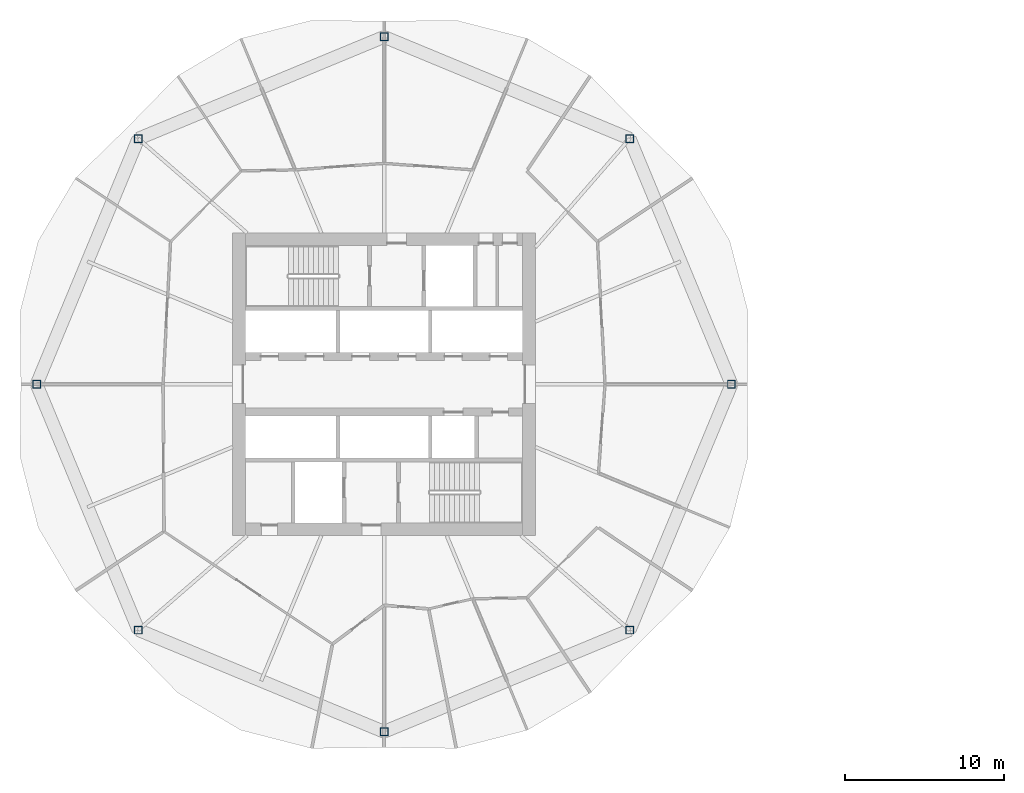
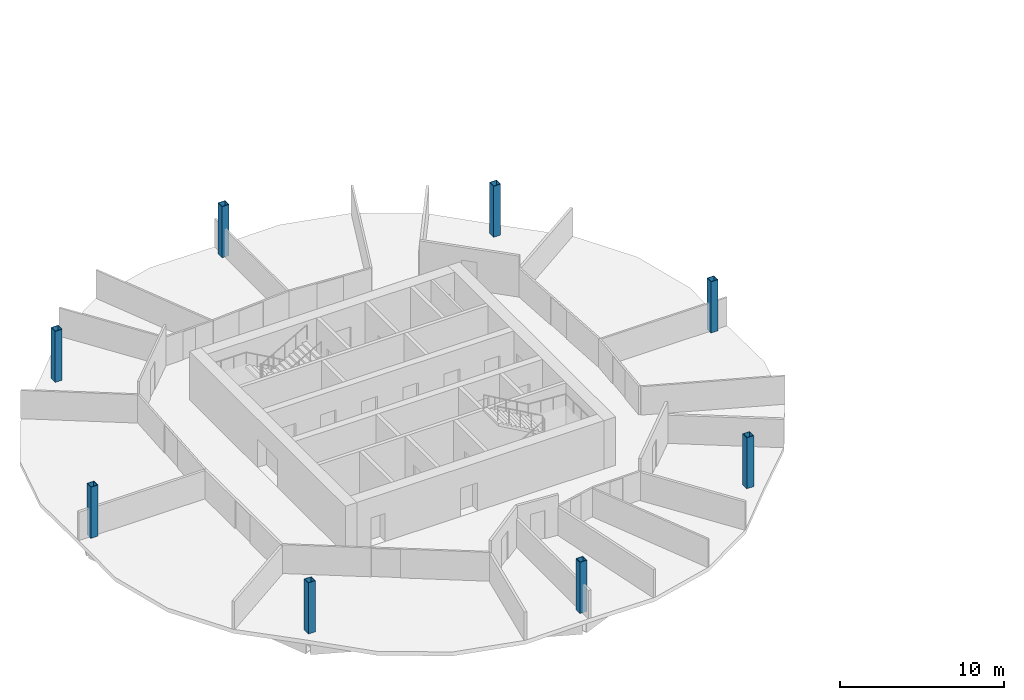
# One storey, part 1 of 9: 8 columns.
"""IFC4 building model written with IfcOpenShell, lengths in metres."""

from ifc_helpers import new_model, si_unit, direction, frame, origin, origin_2d, place, context, subcontext, project, spatial, hollow_rectangle, extrude, material, material_profile, profile_set, type_object, element, save


model = new_model("IFC4")

# Units and contexts
model_context = context("Model", 3, precision=1e-05, world=origin(), true_north=direction((0.0, 1.0)))
body_context = subcontext(model_context, "Body", "Model", "MODEL_VIEW")
ifc_project = project(units=[si_unit("LENGTHUNIT", "METRE"), si_unit("AREAUNIT", "SQUARE_METRE"), si_unit("VOLUMEUNIT", "CUBIC_METRE"), si_unit("PLANEANGLEUNIT", "RADIAN"), si_unit("MASSUNIT", "GRAM", prefix="KILO")], contexts=[model_context])

# Site, building, storey
site_placement = place(None, origin())
site = spatial("IfcSite", under=ifc_project, at=site_placement, CompositionType="ELEMENT")
building_placement = place(site_placement, origin())
building = spatial("IfcBuilding", under=site, at=building_placement, Name="Ogive Gate Towers", CompositionType="ELEMENT")
storey_placement = place(building_placement, frame((0.0, 0.0, 48.0)))
storey = spatial("IfcBuildingStorey", under=building, at=storey_placement, Name="L10", CompositionType="ELEMENT", Elevation=48.0)

# Columns
ifc_material = material(Name="Steel SM460", Category="steel")
ifc_material_profile = material_profile(ifc_material, hollow_rectangle(XDim=0.5, YDim=0.5, WallThickness=0.030029296875, at=origin_2d()), Name="BX 500x500x30")
ifc_profile_set = profile_set([ifc_material_profile], Name="Steel SM460")
column_type = type_object("IfcColumnType", Name="Perimeter post BX 500x500x30", PredefinedType="COLUMN", material=ifc_profile_set)
for number, where, z_axis, x_axis, name in (
    (1, (-14.18994140625, 0.0, 0.0), (0.0, 0.0, 1.0), (1.0, 0.0, 0.0), "T1/L10/SCL001"),
    (2, (-20.577880859375, 15.422119140625, 0.0), (0.0, 0.0, 1.0), (1.0, 0.0, 0.0), "T1/L10/SCL002"),
    (3, (-36.0, 21.81005859375, 0.0), (0.0, 0.0, 1.0), (1.0, 0.0, 0.0), "T1/L10/SCL003"),
    (4, (-51.422119140625, 15.422119140625, 0.0), (0.0, 0.0, 1.0), (1.0, 0.0, 0.0), "T1/L10/SCL004"),
    (5, (-57.81005859375, 0.0, 0.0), (0.0, 0.0, 1.0), (1.0, 0.0, 0.0), "T1/L10/SCL005"),
    (6, (-51.422119140625, -15.422119140625, 0.0), (0.0, 0.0, 1.0), (1.0, 0.0, 0.0), "T1/L10/SCL006"),
    (7, (-36.0, -21.81005859375, 0.0), (0.0, 0.0, 1.0), (1.0, 0.0, 0.0), "T1/L10/SCL007"),
    (8, (-20.577880859375, -15.422119140625, 0.0), (0.0, 0.0, 1.0), (1.0, 0.0, 0.0), "T1/L10/SCL008"),
):
    element("IfcColumn", number, at=place(storey_placement, frame(where, z_axis=z_axis, x_axis=x_axis)), inside=storey, type_object=column_type, Name=name, PredefinedType="COLUMN", context=body_context, shape_type="SweptSolid", body=[
        extrude(hollow_rectangle(XDim=0.5, YDim=0.5, WallThickness=0.030029296875, at=origin_2d()), origin(), (0.0, 0.0, 1.0), 3.800048828125),
    ])

save(model, "model.ifc")
